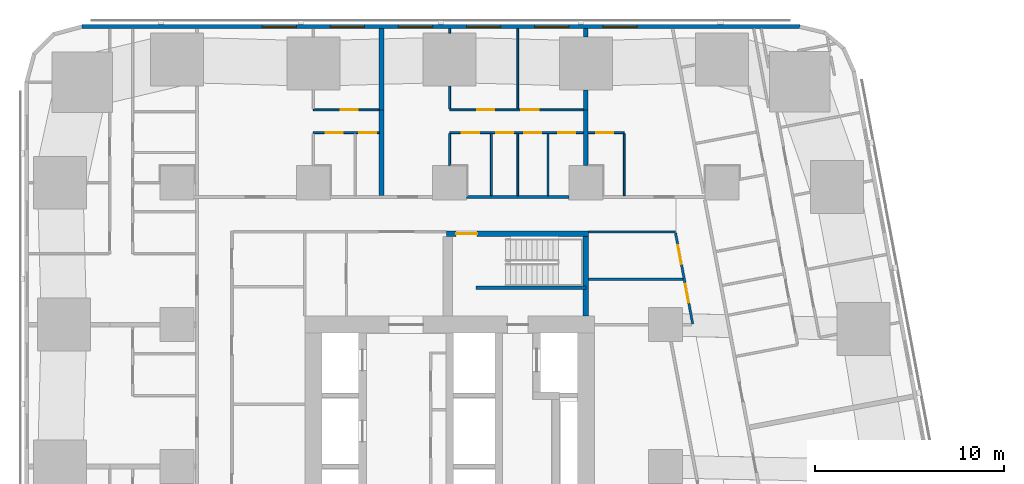
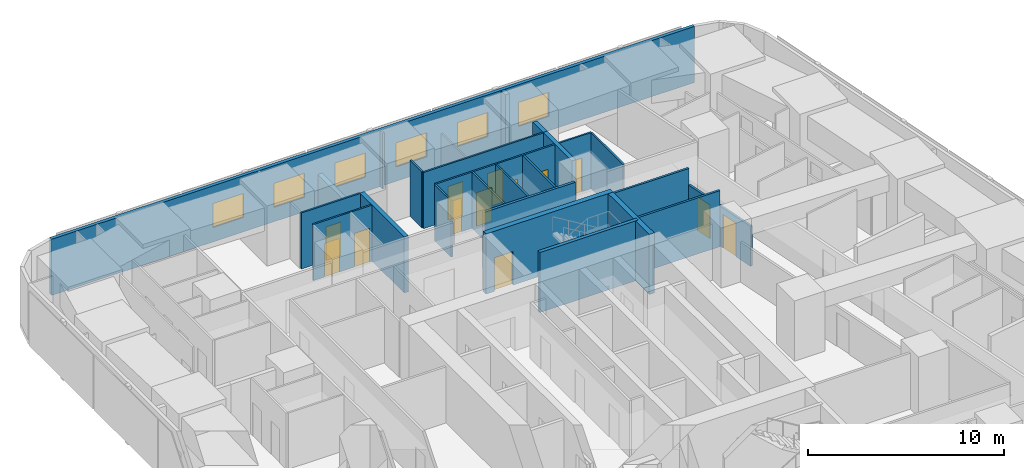
# One storey, part 10 of 16: 26 walls, 13 doors, 6 windows, 19 openings.
"""IFC4 building model written with IfcOpenShell, lengths in metres."""

from ifc_helpers import new_model, si_unit, direction, frame, frame_2d, origin, place, context, subcontext, project, spatial, rectangle, extrude, material, layer, layer_set, type_object, element, fill, save


model = new_model("IFC4")

# Units and contexts
model_context = context("Model", 3, precision=1e-05, world=origin(), true_north=direction((0.0, 1.0)))
body_context = subcontext(model_context, "Body", "Model", "MODEL_VIEW")
ifc_project = project(units=[si_unit("LENGTHUNIT", "METRE"), si_unit("AREAUNIT", "SQUARE_METRE"), si_unit("VOLUMEUNIT", "CUBIC_METRE"), si_unit("PLANEANGLEUNIT", "RADIAN"), si_unit("MASSUNIT", "GRAM", prefix="KILO")], contexts=[model_context])

# Site, building, storey
site_placement = place(None, origin())
site = spatial("IfcSite", under=ifc_project, at=site_placement, CompositionType="ELEMENT")
building_placement = place(site_placement, origin())
building = spatial("IfcBuilding", under=site, at=building_placement, Name="Sheger Commons Tower", CompositionType="ELEMENT")
storey_placement = place(building_placement, frame((0.0, 0.0, 61.25)))
storey = spatial("IfcBuildingStorey", under=building, at=storey_placement, Name="L15", CompositionType="ELEMENT", Elevation=61.25)

# Walls
ifc_material_1 = material(Name="Hollow concrete block masonry, skimmed both sides", Category="masonry")
ifc_layer_1 = layer(ifc_material_1, 0.14990234375)
ifc_layer_set_1 = layer_set([ifc_layer_1], Name="CORRIDOR WALL 150")
wall_type_1 = type_object("IfcWallType", Name="CORRIDOR WALL 150", PredefinedType="SOLIDWALL", material=ifc_layer_set_1)
wall_1_placement = place(storey_placement, frame((22.5009765625, 36.75, 0.0), z_axis=(0.0, 0.0, 1.0), x_axis=(1.0, 0.0, 0.0)))
element("IfcWall", 1, at=wall_1_placement, inside=storey, type_object=wall_type_1, Name="Corridor wall L15", PredefinedType="SOLIDWALL", context=body_context, shape_type="SweptSolid", body=[
    extrude(rectangle(XDim=5.39794921875, YDim=0.14990234375, at=frame_2d((2.698974609375, 0.0))), origin(), (0.0, 0.0, 1.0), 3.5),
])
ifc_material_2 = material(Name="Dense concrete block masonry, plastered both sides (separating wall between flats)", Category="masonry")
ifc_layer_2 = layer(ifc_material_2, 0.25)
ifc_layer_set_2 = layer_set([ifc_layer_2], Name="DEMISING WALL 250")
wall_type_2 = type_object("IfcWallType", Name="DEMISING WALL 250", PredefinedType="SOLIDWALL", material=ifc_layer_set_2)
wall_2_placement = place(storey_placement, frame((18.0, 41.35009765625, 0.0), z_axis=(0.0, 0.0, 1.0), x_axis=(0.0, 1.0, 0.0)))
element("IfcWall", 2, at=wall_2_placement, inside=storey, type_object=wall_type_2, Name="Demising wall L15", PredefinedType="SOLIDWALL", context=body_context, shape_type="SweptSolid", body=[
    extrude(rectangle(XDim=4.2998046875, YDim=0.25, at=frame_2d((2.14990234375, 0.0))), origin(), (0.0, 0.0, 1.0), 2.050048828125),
])
wall_3_placement = place(storey_placement, frame((18.0, 36.824951171875, 0.0), z_axis=(0.0, 0.0, 1.0), x_axis=(0.0, 1.0, 0.0)))
element("IfcWall", 3, at=wall_3_placement, inside=storey, type_object=wall_type_2, Name="Demising wall L15", PredefinedType="SOLIDWALL", context=body_context, shape_type="SweptSolid", body=[
    extrude(rectangle(XDim=4.525146484375, YDim=0.25, at=frame_2d((2.2626953125, 0.0))), origin(), (0.0, 0.0, 1.0), 3.5),
])
wall_4_placement = place(storey_placement, frame((28.800048828125, 41.35009765625, 0.0), z_axis=(0.0, 0.0, 1.0), x_axis=(0.0, 1.0, 0.0)))
element("IfcWall", 4, at=wall_4_placement, inside=storey, type_object=wall_type_2, Name="Demising wall L15", PredefinedType="SOLIDWALL", context=body_context, shape_type="SweptSolid", body=[
    extrude(rectangle(XDim=1.048828125, YDim=0.25, at=frame_2d((0.5244140625, 0.0))), origin(), (0.0, 0.0, 1.0), 3.5),
])
wall_5_placement = place(storey_placement, frame((28.800048828125, 45.200927734375, 0.0), z_axis=(0.0, 0.0, 1.0), x_axis=(0.0, 1.0, 0.0)))
element("IfcWall", 5, at=wall_5_placement, inside=storey, type_object=wall_type_2, Name="Demising wall L15", PredefinedType="SOLIDWALL", context=body_context, shape_type="SweptSolid", body=[
    extrude(rectangle(XDim=0.448974609375, YDim=0.25, at=frame_2d((0.224609375, 0.0))), origin(), (0.0, 0.0, 1.0), 3.5),
])
wall_6_placement = place(storey_placement, frame((28.800048828125, 38.40087890625, 0.0), z_axis=(0.0, 0.0, 1.0), x_axis=(0.0, 1.0, 0.0)))
element("IfcWall", 6, at=wall_6_placement, inside=storey, type_object=wall_type_2, Name="Demising wall L15", PredefinedType="SOLIDWALL", context=body_context, shape_type="SweptSolid", body=[
    extrude(rectangle(XDim=2.94921875, YDim=0.25, at=frame_2d((1.474609375, 0.0))), origin(), (0.0, 0.0, 1.0), 3.5),
])

# Wall, openings, windows
ifc_material_3 = material(Name="Rendered concrete block masonry, dark grey", Category="masonry")
ifc_layer_3 = layer(ifc_material_3, 0.199951171875)
ifc_layer_set_3 = layer_set([ifc_layer_3], Name="FACADE WALL 200")
wall_type_3 = type_object("IfcWallType", Name="FACADE WALL 200", PredefinedType="SOLIDWALL", material=ifc_layer_set_3)
wall_7_placement = place(storey_placement, frame((40.10595703125, 45.75, 0.0), z_axis=(0.0, 0.0, 1.0), x_axis=(-1.0, 0.0, 0.0)))
wall_7 = element("IfcWall", 7, at=wall_7_placement, inside=storey, type_object=wall_type_3, Name="Facade wall L15", PredefinedType="SOLIDWALL", context=body_context, shape_type="SweptSolid", body=[
    extrude(rectangle(XDim=37.94287109375, YDim=0.199951171875, at=frame_2d((18.971435546875, 0.0))), origin(), (0.0, 0.0, 1.0), 3.5),
])
opening_1_placement = place(wall_7_placement, frame((8.60595703125, 0.0, 0.89990234375)))
opening_1 = element("IfcOpeningElement", 8, at=opening_1_placement, cuts=wall_7, Name="Opening W2", PredefinedType="OPENING", context=body_context, shape_type="SweptSolid", body=[
    extrude(rectangle(XDim=1.800048828125, YDim=1.5, at=frame_2d((0.89990234375, 0.75))), frame((0.0, 0.10986328125, 0.0), z_axis=(0.0, -1.0, 0.0), x_axis=(1.0, 0.0, 0.0)), (0.0, 0.0, 1.0), 0.219970703125),
])
opening_2_placement = place(wall_7_placement, frame((12.2060546875, 0.0, 0.89990234375)))
opening_2 = element("IfcOpeningElement", 9, at=opening_2_placement, cuts=wall_7, Name="Opening W2", PredefinedType="OPENING", context=body_context, shape_type="SweptSolid", body=[
    extrude(rectangle(XDim=1.800048828125, YDim=1.5, at=frame_2d((0.89990234375, 0.75))), frame((0.0, 0.10986328125, 0.0), z_axis=(0.0, -1.0, 0.0), x_axis=(1.0, 0.0, 0.0)), (0.0, 0.0, 1.0), 0.219970703125),
])
opening_3_placement = place(wall_7_placement, frame((15.805908203125, 0.0, 0.89990234375)))
opening_3 = element("IfcOpeningElement", 10, at=opening_3_placement, cuts=wall_7, Name="Opening W2", PredefinedType="OPENING", context=body_context, shape_type="SweptSolid", body=[
    extrude(rectangle(XDim=1.800048828125, YDim=1.5, at=frame_2d((0.89990234375, 0.75))), frame((0.0, 0.10986328125, 0.0), z_axis=(0.0, -1.0, 0.0), x_axis=(1.0, 0.0, 0.0)), (0.0, 0.0, 1.0), 0.219970703125),
])
opening_4_placement = place(wall_7_placement, frame((19.406005859375, 0.0, 0.89990234375)))
opening_4 = element("IfcOpeningElement", 11, at=opening_4_placement, cuts=wall_7, Name="Opening W2", PredefinedType="OPENING", context=body_context, shape_type="SweptSolid", body=[
    extrude(rectangle(XDim=1.800048828125, YDim=1.5, at=frame_2d((0.89990234375, 0.75))), frame((0.0, 0.10986328125, 0.0), z_axis=(0.0, -1.0, 0.0), x_axis=(1.0, 0.0, 0.0)), (0.0, 0.0, 1.0), 0.219970703125),
])
opening_5_placement = place(wall_7_placement, frame((23.006103515625, 0.0, 0.89990234375)))
opening_5 = element("IfcOpeningElement", 12, at=opening_5_placement, cuts=wall_7, Name="Opening W2", PredefinedType="OPENING", context=body_context, shape_type="SweptSolid", body=[
    extrude(rectangle(XDim=1.800048828125, YDim=1.5, at=frame_2d((0.89990234375, 0.75))), frame((0.0, 0.10986328125, 0.0), z_axis=(0.0, -1.0, 0.0), x_axis=(1.0, 0.0, 0.0)), (0.0, 0.0, 1.0), 0.219970703125),
])
opening_6_placement = place(wall_7_placement, frame((26.60595703125, 0.0, 0.89990234375)))
opening_6 = element("IfcOpeningElement", 13, at=opening_6_placement, cuts=wall_7, Name="Opening W2", PredefinedType="OPENING", context=body_context, shape_type="SweptSolid", body=[
    extrude(rectangle(XDim=1.800048828125, YDim=1.5, at=frame_2d((0.89990234375, 0.75))), frame((0.0, 0.10986328125, 0.0), z_axis=(0.0, -1.0, 0.0), x_axis=(1.0, 0.0, 0.0)), (0.0, 0.0, 1.0), 0.219970703125),
])
ifc_material_4 = material(Name="Black aluminium frame, dark tinted double glazing", Category="aluminium")
window_type = type_object("IfcWindowType", Name="WINDOW W2 1800x1500", PartitioningType="SINGLE_PANEL", PredefinedType="WINDOW", material=ifc_material_4)
window_1_placement = place(opening_1_placement, origin())
window_1 = element("IfcWindow", 14, at=window_1_placement, inside=storey, type_object=window_type, Name="Window W2 1800X1500", OverallHeight=1.5, OverallWidth=1.800048828125, PartitioningType="SINGLE_PANEL", PredefinedType="WINDOW", context=body_context, shape_type="SweptSolid", body=[
    extrude(rectangle(XDim=1.800048828125, YDim=1.5, at=frame_2d((0.89990234375, 0.75))), frame((0.0, 0.030029296875, 0.0), z_axis=(0.0, -1.0, 0.0), x_axis=(1.0, 0.0, 0.0)), (0.0, 0.0, 1.0), 0.06005859375),
])
fill(opening_1, window_1)
window_2_placement = place(opening_2_placement, origin())
window_2 = element("IfcWindow", 15, at=window_2_placement, inside=storey, type_object=window_type, Name="Window W2 1800X1500", OverallHeight=1.5, OverallWidth=1.800048828125, PartitioningType="SINGLE_PANEL", PredefinedType="WINDOW", context=body_context, shape_type="SweptSolid", body=[
    extrude(rectangle(XDim=1.800048828125, YDim=1.5, at=frame_2d((0.89990234375, 0.75))), frame((0.0, 0.030029296875, 0.0), z_axis=(0.0, -1.0, 0.0), x_axis=(1.0, 0.0, 0.0)), (0.0, 0.0, 1.0), 0.06005859375),
])
fill(opening_2, window_2)
window_3_placement = place(opening_3_placement, origin())
window_3 = element("IfcWindow", 16, at=window_3_placement, inside=storey, type_object=window_type, Name="Window W2 1800X1500", OverallHeight=1.5, OverallWidth=1.800048828125, PartitioningType="SINGLE_PANEL", PredefinedType="WINDOW", context=body_context, shape_type="SweptSolid", body=[
    extrude(rectangle(XDim=1.800048828125, YDim=1.5, at=frame_2d((0.89990234375, 0.75))), frame((0.0, 0.030029296875, 0.0), z_axis=(0.0, -1.0, 0.0), x_axis=(1.0, 0.0, 0.0)), (0.0, 0.0, 1.0), 0.06005859375),
])
fill(opening_3, window_3)
window_4_placement = place(opening_4_placement, origin())
window_4 = element("IfcWindow", 17, at=window_4_placement, inside=storey, type_object=window_type, Name="Window W2 1800X1500", OverallHeight=1.5, OverallWidth=1.800048828125, PartitioningType="SINGLE_PANEL", PredefinedType="WINDOW", context=body_context, shape_type="SweptSolid", body=[
    extrude(rectangle(XDim=1.800048828125, YDim=1.5, at=frame_2d((0.89990234375, 0.75))), frame((0.0, 0.030029296875, 0.0), z_axis=(0.0, -1.0, 0.0), x_axis=(1.0, 0.0, 0.0)), (0.0, 0.0, 1.0), 0.06005859375),
])
fill(opening_4, window_4)
window_5_placement = place(opening_5_placement, origin())
window_5 = element("IfcWindow", 18, at=window_5_placement, inside=storey, type_object=window_type, Name="Window W2 1800X1500", OverallHeight=1.5, OverallWidth=1.800048828125, PartitioningType="SINGLE_PANEL", PredefinedType="WINDOW", context=body_context, shape_type="SweptSolid", body=[
    extrude(rectangle(XDim=1.800048828125, YDim=1.5, at=frame_2d((0.89990234375, 0.75))), frame((0.0, 0.030029296875, 0.0), z_axis=(0.0, -1.0, 0.0), x_axis=(1.0, 0.0, 0.0)), (0.0, 0.0, 1.0), 0.06005859375),
])
fill(opening_5, window_5)
window_6_placement = place(opening_6_placement, origin())
window_6 = element("IfcWindow", 19, at=window_6_placement, inside=storey, type_object=window_type, Name="Window W2 1800X1500", OverallHeight=1.5, OverallWidth=1.800048828125, PartitioningType="SINGLE_PANEL", PredefinedType="WINDOW", context=body_context, shape_type="SweptSolid", body=[
    extrude(rectangle(XDim=1.800048828125, YDim=1.5, at=frame_2d((0.89990234375, 0.75))), frame((0.0, 0.030029296875, 0.0), z_axis=(0.0, -1.0, 0.0), x_axis=(1.0, 0.0, 0.0)), (0.0, 0.0, 1.0), 0.06005859375),
])
fill(opening_6, window_6)

# Wall, opening, door
ifc_material_5 = material(Name="Gypsum board on steel studs", Category="steel")
ifc_layer_4 = layer(ifc_material_5, 0.10009765625)
ifc_layer_set_4 = layer_set([ifc_layer_4], Name="PARTITION 100")
wall_type_4 = type_object("IfcWallType", Name="PARTITION 100", PredefinedType="PARTITIONING", material=ifc_layer_set_4)
wall_8_placement = place(storey_placement, frame((14.39990234375, 41.35009765625, 0.0), z_axis=(0.0, 0.0, 1.0), x_axis=(1.0, 0.0, 0.0)))
wall_8 = element("IfcWall", 20, at=wall_8_placement, inside=storey, type_object=wall_type_4, Name="Partition L15", PredefinedType="PARTITIONING", context=body_context, shape_type="SweptSolid", body=[
    extrude(rectangle(XDim=3.47509765625, YDim=0.10009765625, at=frame_2d((1.737548828125, 0.0))), origin(), (0.0, 0.0, 1.0), 3.5),
])
opening_7_placement = place(wall_8_placement, frame((1.449951171875, 0.0, 0.0)))
opening_7 = element("IfcOpeningElement", 21, at=opening_7_placement, cuts=wall_8, Name="Opening D2", PredefinedType="OPENING", context=body_context, shape_type="SweptSolid", body=[
    extrude(rectangle(XDim=0.89990234375, YDim=2.10009765625, at=frame_2d((0.449951171875, 1.050048828125))), frame((0.0, 0.06005859375, 0.0), z_axis=(0.0, -1.0, 0.0), x_axis=(1.0, 0.0, 0.0)), (0.0, 0.0, 1.0), 0.1201171875),
])
ifc_material_6 = material(Name="Timber door set", Category="wood")
door_type_1 = type_object("IfcDoorType", Name="INTERNAL DOOR 900x2100", OperationType="NOTDEFINED", PredefinedType="DOOR", material=ifc_material_6)
door_1_placement = place(opening_7_placement, origin())
door_1 = element("IfcDoor", 22, at=door_1_placement, inside=storey, type_object=door_type_1, Name="Main bedroom door", OperationType="SINGLE_SWING_RIGHT", OverallHeight=2.10009765625, OverallWidth=0.89990234375, PredefinedType="DOOR", context=body_context, shape_type="SweptSolid", body=[
    extrude(rectangle(XDim=0.89990234375, YDim=2.10009765625, at=frame_2d((0.449951171875, 1.050048828125))), frame((0.0, 0.02490234375, 0.0), z_axis=(0.0, -1.0, 0.0), x_axis=(1.0, 0.0, 0.0)), (0.0, 0.0, 1.0), 0.050048828125),
])
fill(opening_7, door_1)

# Wall, openings, doors
wall_9_placement = place(storey_placement, frame((14.39990234375, 40.14990234375, 0.0), z_axis=(0.0, 0.0, 1.0), x_axis=(1.0, 0.0, 0.0)))
wall_9 = element("IfcWall", 23, at=wall_9_placement, inside=storey, type_object=wall_type_4, Name="Partition L15", PredefinedType="PARTITIONING", context=body_context, shape_type="SweptSolid", body=[
    extrude(rectangle(XDim=3.47509765625, YDim=0.10009765625, at=frame_2d((1.737548828125, 0.0))), origin(), (0.0, 0.0, 1.0), 3.5),
])
opening_8_placement = place(wall_9_placement, frame((0.655029296875, 0.0, 0.0)))
opening_8 = element("IfcOpeningElement", 24, at=opening_8_placement, cuts=wall_9, Name="Opening D2", PredefinedType="OPENING", context=body_context, shape_type="SweptSolid", body=[
    extrude(rectangle(XDim=0.89990234375, YDim=2.10009765625, at=frame_2d((0.449951171875, 1.050048828125))), frame((0.0, 0.06005859375, 0.0), z_axis=(0.0, -1.0, 0.0), x_axis=(1.0, 0.0, 0.0)), (0.0, 0.0, 1.0), 0.1201171875),
])
opening_9_placement = place(wall_9_placement, frame((2.425048828125, 0.0, 0.0)))
opening_9 = element("IfcOpeningElement", 25, at=opening_9_placement, cuts=wall_9, Name="Opening D2", PredefinedType="OPENING", context=body_context, shape_type="SweptSolid", body=[
    extrude(rectangle(XDim=0.89990234375, YDim=2.10009765625, at=frame_2d((0.449951171875, 1.050048828125))), frame((0.0, 0.06005859375, 0.0), z_axis=(0.0, -1.0, 0.0), x_axis=(1.0, 0.0, 0.0)), (0.0, 0.0, 1.0), 0.1201171875),
])
door_2_placement = place(opening_8_placement, origin())
door_2 = element("IfcDoor", 26, at=door_2_placement, inside=storey, type_object=door_type_1, Name="Bathroom door", OperationType="SINGLE_SWING_RIGHT", OverallHeight=2.10009765625, OverallWidth=0.89990234375, PredefinedType="DOOR", context=body_context, shape_type="SweptSolid", body=[
    extrude(rectangle(XDim=0.89990234375, YDim=2.10009765625, at=frame_2d((0.449951171875, 1.050048828125))), frame((0.0, 0.02490234375, 0.0), z_axis=(0.0, -1.0, 0.0), x_axis=(1.0, 0.0, 0.0)), (0.0, 0.0, 1.0), 0.050048828125),
])
fill(opening_8, door_2)
door_3_placement = place(opening_9_placement, origin())
door_3 = element("IfcDoor", 27, at=door_3_placement, inside=storey, type_object=door_type_1, Name="Store door", OperationType="SINGLE_SWING_LEFT", OverallHeight=2.10009765625, OverallWidth=0.89990234375, PredefinedType="DOOR", context=body_context, shape_type="SweptSolid", body=[
    extrude(rectangle(XDim=0.89990234375, YDim=2.10009765625, at=frame_2d((0.449951171875, 1.050048828125))), frame((0.0, 0.02490234375, 0.0), z_axis=(0.0, -1.0, 0.0), x_axis=(1.0, 0.0, 0.0)), (0.0, 0.0, 1.0), 0.050048828125),
])
fill(opening_9, door_3)

wall_10_placement = place(storey_placement, frame((21.60009765625, 41.35009765625, 0.0), z_axis=(0.0, 0.0, 1.0), x_axis=(1.0, 0.0, 0.0)))
wall_10 = element("IfcWall", 28, at=wall_10_placement, inside=storey, type_object=wall_type_4, Name="Partition L15", PredefinedType="PARTITIONING", context=body_context, shape_type="SweptSolid", body=[
    extrude(rectangle(XDim=7.074951171875, YDim=0.10009765625, at=frame_2d((3.53759765625, 0.0))), origin(), (0.0, 0.0, 1.0), 3.5),
])
opening_10_placement = place(wall_10_placement, frame((1.449951171875, 0.0, 0.0)))
opening_10 = element("IfcOpeningElement", 29, at=opening_10_placement, cuts=wall_10, Name="Opening D2", PredefinedType="OPENING", context=body_context, shape_type="SweptSolid", body=[
    extrude(rectangle(XDim=0.89990234375, YDim=2.10009765625, at=frame_2d((0.449951171875, 1.050048828125))), frame((0.0, 0.06005859375, 0.0), z_axis=(0.0, -1.0, 0.0), x_axis=(1.0, 0.0, 0.0)), (0.0, 0.0, 1.0), 0.1201171875),
])
opening_11_placement = place(wall_10_placement, frame((3.800048828125, 0.0, 0.0)))
opening_11 = element("IfcOpeningElement", 30, at=opening_11_placement, cuts=wall_10, Name="Opening D2", PredefinedType="OPENING", context=body_context, shape_type="SweptSolid", body=[
    extrude(rectangle(XDim=0.89990234375, YDim=2.10009765625, at=frame_2d((0.449951171875, 1.050048828125))), frame((0.0, 0.06005859375, 0.0), z_axis=(0.0, -1.0, 0.0), x_axis=(1.0, 0.0, 0.0)), (0.0, 0.0, 1.0), 0.1201171875),
])
door_4_placement = place(opening_10_placement, origin())
door_4 = element("IfcDoor", 31, at=door_4_placement, inside=storey, type_object=door_type_1, Name="Main bedroom door", OperationType="SINGLE_SWING_RIGHT", OverallHeight=2.10009765625, OverallWidth=0.89990234375, PredefinedType="DOOR", context=body_context, shape_type="SweptSolid", body=[
    extrude(rectangle(XDim=0.89990234375, YDim=2.10009765625, at=frame_2d((0.449951171875, 1.050048828125))), frame((0.0, 0.02490234375, 0.0), z_axis=(0.0, -1.0, 0.0), x_axis=(1.0, 0.0, 0.0)), (0.0, 0.0, 1.0), 0.050048828125),
])
fill(opening_10, door_4)
door_5_placement = place(opening_11_placement, origin())
door_5 = element("IfcDoor", 32, at=door_5_placement, inside=storey, type_object=door_type_1, Name="Bedroom 2 door", OperationType="SINGLE_SWING_LEFT", OverallHeight=2.10009765625, OverallWidth=0.89990234375, PredefinedType="DOOR", context=body_context, shape_type="SweptSolid", body=[
    extrude(rectangle(XDim=0.89990234375, YDim=2.10009765625, at=frame_2d((0.449951171875, 1.050048828125))), frame((0.0, 0.02490234375, 0.0), z_axis=(0.0, -1.0, 0.0), x_axis=(1.0, 0.0, 0.0)), (0.0, 0.0, 1.0), 0.050048828125),
])
fill(opening_11, door_5)

wall_11_placement = place(storey_placement, frame((21.60009765625, 40.14990234375, 0.0), z_axis=(0.0, 0.0, 1.0), x_axis=(1.0, 0.0, 0.0)))
wall_11 = element("IfcWall", 33, at=wall_11_placement, inside=storey, type_object=wall_type_4, Name="Partition L15", PredefinedType="PARTITIONING", context=body_context, shape_type="SweptSolid", body=[
    extrude(rectangle(XDim=7.074951171875, YDim=0.10009765625, at=frame_2d((3.53759765625, 0.0))), origin(), (0.0, 0.0, 1.0), 3.5),
])
opening_12_placement = place(wall_11_placement, frame((0.655029296875, 0.0, 0.0)))
opening_12 = element("IfcOpeningElement", 34, at=opening_12_placement, cuts=wall_11, Name="Opening D2", PredefinedType="OPENING", context=body_context, shape_type="SweptSolid", body=[
    extrude(rectangle(XDim=0.89990234375, YDim=2.10009765625, at=frame_2d((0.449951171875, 1.050048828125))), frame((0.0, 0.06005859375, 0.0), z_axis=(0.0, -1.0, 0.0), x_axis=(1.0, 0.0, 0.0)), (0.0, 0.0, 1.0), 0.1201171875),
])
opening_13_placement = place(wall_11_placement, frame((3.949951171875, 0.0, 0.0)))
opening_13 = element("IfcOpeningElement", 35, at=opening_13_placement, cuts=wall_11, Name="Opening D2", PredefinedType="OPENING", context=body_context, shape_type="SweptSolid", body=[
    extrude(rectangle(XDim=0.89990234375, YDim=2.10009765625, at=frame_2d((0.449951171875, 1.050048828125))), frame((0.0, 0.06005859375, 0.0), z_axis=(0.0, -1.0, 0.0), x_axis=(1.0, 0.0, 0.0)), (0.0, 0.0, 1.0), 0.1201171875),
])
opening_14_placement = place(wall_11_placement, frame((2.455078125, 0.0, 0.0)))
opening_14 = element("IfcOpeningElement", 36, at=opening_14_placement, cuts=wall_11, Name="Opening D2", PredefinedType="OPENING", context=body_context, shape_type="SweptSolid", body=[
    extrude(rectangle(XDim=0.89990234375, YDim=2.10009765625, at=frame_2d((0.449951171875, 1.050048828125))), frame((0.0, 0.06005859375, 0.0), z_axis=(0.0, -1.0, 0.0), x_axis=(1.0, 0.0, 0.0)), (0.0, 0.0, 1.0), 0.1201171875),
])
opening_15_placement = place(wall_11_placement, frame((5.75, 0.0, 0.0)))
opening_15 = element("IfcOpeningElement", 37, at=opening_15_placement, cuts=wall_11, Name="Opening D2", PredefinedType="OPENING", context=body_context, shape_type="SweptSolid", body=[
    extrude(rectangle(XDim=0.89990234375, YDim=2.10009765625, at=frame_2d((0.449951171875, 1.050048828125))), frame((0.0, 0.06005859375, 0.0), z_axis=(0.0, -1.0, 0.0), x_axis=(1.0, 0.0, 0.0)), (0.0, 0.0, 1.0), 0.1201171875),
])
door_6_placement = place(opening_12_placement, origin())
door_6 = element("IfcDoor", 38, at=door_6_placement, inside=storey, type_object=door_type_1, Name="Bathroom door", OperationType="SINGLE_SWING_RIGHT", OverallHeight=2.10009765625, OverallWidth=0.89990234375, PredefinedType="DOOR", context=body_context, shape_type="SweptSolid", body=[
    extrude(rectangle(XDim=0.89990234375, YDim=2.10009765625, at=frame_2d((0.449951171875, 1.050048828125))), frame((0.0, 0.02490234375, 0.0), z_axis=(0.0, -1.0, 0.0), x_axis=(1.0, 0.0, 0.0)), (0.0, 0.0, 1.0), 0.050048828125),
])
fill(opening_12, door_6)
door_7_placement = place(opening_13_placement, origin())
door_7 = element("IfcDoor", 39, at=door_7_placement, inside=storey, type_object=door_type_1, Name="Shower room door", OperationType="SINGLE_SWING_LEFT", OverallHeight=2.10009765625, OverallWidth=0.89990234375, PredefinedType="DOOR", context=body_context, shape_type="SweptSolid", body=[
    extrude(rectangle(XDim=0.89990234375, YDim=2.10009765625, at=frame_2d((0.449951171875, 1.050048828125))), frame((0.0, 0.02490234375, 0.0), z_axis=(0.0, -1.0, 0.0), x_axis=(1.0, 0.0, 0.0)), (0.0, 0.0, 1.0), 0.050048828125),
])
fill(opening_13, door_7)
door_8_placement = place(opening_14_placement, origin())
door_8 = element("IfcDoor", 40, at=door_8_placement, inside=storey, type_object=door_type_1, Name="Store door", OperationType="SINGLE_SWING_LEFT", OverallHeight=2.10009765625, OverallWidth=0.89990234375, PredefinedType="DOOR", context=body_context, shape_type="SweptSolid", body=[
    extrude(rectangle(XDim=0.89990234375, YDim=2.10009765625, at=frame_2d((0.449951171875, 1.050048828125))), frame((0.0, 0.02490234375, 0.0), z_axis=(0.0, -1.0, 0.0), x_axis=(1.0, 0.0, 0.0)), (0.0, 0.0, 1.0), 0.050048828125),
])
fill(opening_14, door_8)
door_9_placement = place(opening_15_placement, origin())
door_9 = element("IfcDoor", 41, at=door_9_placement, inside=storey, type_object=door_type_1, Name="Store door", OperationType="SINGLE_SWING_LEFT", OverallHeight=2.10009765625, OverallWidth=0.89990234375, PredefinedType="DOOR", context=body_context, shape_type="SweptSolid", body=[
    extrude(rectangle(XDim=0.89990234375, YDim=2.10009765625, at=frame_2d((0.449951171875, 1.050048828125))), frame((0.0, 0.02490234375, 0.0), z_axis=(0.0, -1.0, 0.0), x_axis=(1.0, 0.0, 0.0)), (0.0, 0.0, 1.0), 0.050048828125),
])
fill(opening_15, door_9)

# Walls
wall_12_placement = place(storey_placement, frame((21.60009765625, 41.39990234375, 0.0), z_axis=(0.0, 0.0, 1.0), x_axis=(0.0, 1.0, 0.0)))
element("IfcWall", 42, at=wall_12_placement, inside=storey, type_object=wall_type_4, Name="Partition L15", PredefinedType="PARTITIONING", context=body_context, shape_type="SweptSolid", body=[
    extrude(rectangle(XDim=1.19921875, YDim=0.10009765625, at=frame_2d((0.599609375, 0.0))), origin(), (0.0, 0.0, 1.0), 3.5),
])
wall_13_placement = place(storey_placement, frame((21.60009765625, 45.40087890625, 0.0), z_axis=(0.0, 0.0, 1.0), x_axis=(0.0, 1.0, 0.0)))
element("IfcWall", 43, at=wall_13_placement, inside=storey, type_object=wall_type_4, Name="Partition L15", PredefinedType="PARTITIONING", context=body_context, shape_type="SweptSolid", body=[
    extrude(rectangle(XDim=0.2490234375, YDim=0.10009765625, at=frame_2d((0.12451171875, 0.0))), origin(), (0.0, 0.0, 1.0), 3.5),
])
wall_14_placement = place(storey_placement, frame((25.199951171875, 41.39990234375, 0.0), z_axis=(0.0, 0.0, 1.0), x_axis=(0.0, 1.0, 0.0)))
element("IfcWall", 44, at=wall_14_placement, inside=storey, type_object=wall_type_4, Name="Partition L15", PredefinedType="PARTITIONING", context=body_context, shape_type="SweptSolid", body=[
    extrude(rectangle(XDim=4.25, YDim=0.10009765625, at=frame_2d((2.125, 0.0))), origin(), (0.0, 0.0, 1.0), 2.050048828125),
])
wall_15_placement = place(storey_placement, frame((21.60009765625, 38.40087890625, 0.0), z_axis=(0.0, 0.0, 1.0), x_axis=(0.0, 1.0, 0.0)))
element("IfcWall", 45, at=wall_15_placement, inside=storey, type_object=wall_type_4, Name="Partition L15", PredefinedType="PARTITIONING", context=body_context, shape_type="SweptSolid", body=[
    extrude(rectangle(XDim=1.69921875, YDim=0.10009765625, at=frame_2d((0.849609375, 0.0))), origin(), (0.0, 0.0, 1.0), 3.5),
])
for number, where, z_axis, x_axis, name in (
    (46, (25.199951171875, 36.824951171875, 0.0), (0.0, 0.0, 1.0), (0.0, 1.0, 0.0), "Partition L15"),
    (47, (23.81005859375, 36.824951171875, 0.0), (0.0, 0.0, 1.0), (0.0, 1.0, 0.0), "Partition L15"),
    (48, (26.800048828125, 36.824951171875, 0.0), (0.0, 0.0, 1.0), (0.0, 1.0, 0.0), "Partition L15"),
):
    element("IfcWall", number, at=place(storey_placement, frame(where, z_axis=z_axis, x_axis=x_axis)), inside=storey, type_object=wall_type_4, Name=name, PredefinedType="PARTITIONING", context=body_context, shape_type="SweptSolid", body=[
        extrude(rectangle(XDim=3.275146484375, YDim=0.10009765625, at=frame_2d((1.6376953125, 0.0))), origin(), (0.0, 0.0, 1.0), 3.5),
    ])

# Wall, opening, door
wall_16_placement = place(storey_placement, frame((28.925048828125, 40.14990234375, 0.0), z_axis=(0.0, 0.0, 1.0), x_axis=(1.0, 0.0, 0.0)))
wall_16 = element("IfcWall", 49, at=wall_16_placement, inside=storey, type_object=wall_type_4, Name="Partition L15", PredefinedType="PARTITIONING", context=body_context, shape_type="SweptSolid", body=[
    extrude(rectangle(XDim=1.904052734375, YDim=0.10009765625, at=frame_2d((0.9521484375, 0.0))), origin(), (0.0, 0.0, 1.0), 3.5),
])
opening_16_placement = place(wall_16_placement, frame((0.425048828125, 0.0, 0.0)))
opening_16 = element("IfcOpeningElement", 50, at=opening_16_placement, cuts=wall_16, Name="Opening D2", PredefinedType="OPENING", context=body_context, shape_type="SweptSolid", body=[
    extrude(rectangle(XDim=0.89990234375, YDim=2.10009765625, at=frame_2d((0.449951171875, 1.050048828125))), frame((0.0, 0.06005859375, 0.0), z_axis=(0.0, -1.0, 0.0), x_axis=(1.0, 0.0, 0.0)), (0.0, 0.0, 1.0), 0.1201171875),
])
door_10_placement = place(opening_16_placement, origin())
door_10 = element("IfcDoor", 51, at=door_10_placement, inside=storey, type_object=door_type_1, Name="Shower room door", OperationType="SINGLE_SWING_RIGHT", OverallHeight=2.10009765625, OverallWidth=0.89990234375, PredefinedType="DOOR", context=body_context, shape_type="SweptSolid", body=[
    extrude(rectangle(XDim=0.89990234375, YDim=2.10009765625, at=frame_2d((0.449951171875, 1.050048828125))), frame((0.0, 0.02490234375, 0.0), z_axis=(0.0, -1.0, 0.0), x_axis=(1.0, 0.0, 0.0)), (0.0, 0.0, 1.0), 0.050048828125),
])
fill(opening_16, door_10)

# Walls
wall_17_placement = place(storey_placement, frame((30.8291015625, 36.824951171875, 0.0), z_axis=(0.0, 0.0, 1.0), x_axis=(0.0, 1.0, 0.0)))
element("IfcWall", 52, at=wall_17_placement, inside=storey, type_object=wall_type_4, Name="Partition L15", PredefinedType="PARTITIONING", context=body_context, shape_type="SweptSolid", body=[
    extrude(rectangle(XDim=3.275146484375, YDim=0.10009765625, at=frame_2d((1.6376953125, 0.0))), origin(), (0.0, 0.0, 1.0), 3.5),
])
ifc_material_7 = material(Name="Gypsum board on steel studs, two layers each side, fire rated", Category="steel")
ifc_layer_5 = layer(ifc_material_7, 0.125)
ifc_layer_set_5 = layer_set([ifc_layer_5], Name="SERVICE WALL 125")
wall_type_5 = type_object("IfcWallType", Name="SERVICE WALL 125", PredefinedType="PARTITIONING", material=ifc_layer_set_5)
wall_18_placement = place(storey_placement, frame((28.949951171875, 34.89990234375, 0.0), z_axis=(0.0, 0.0, 1.0), x_axis=(1.0, 0.0, 0.0)))
element("IfcWall", 53, at=wall_18_placement, inside=storey, type_object=wall_type_5, Name="Service room wall L15", PredefinedType="PARTITIONING", context=body_context, shape_type="SweptSolid", body=[
    extrude(rectangle(XDim=4.588134765625, YDim=0.125, at=frame_2d((2.2939453125, 0.0))), origin(), (0.0, 0.0, 1.0), 3.5),
])

# Wall, openings, doors
wall_19_placement = place(storey_placement, frame((34.447998046875, 30.0400390625, 0.0), z_axis=(0.0, 0.0, 1.0), x_axis=(-0.185749459238, 0.982597139418, 0.0)))
wall_19 = element("IfcWall", 54, at=wall_19_placement, inside=storey, type_object=wall_type_5, Name="Service room wall L15", PredefinedType="PARTITIONING", context=body_context, shape_type="SweptSolid", body=[
    extrude(rectangle(XDim=4.8828125, YDim=0.125, at=frame_2d((2.44140625, 0.0))), origin(), (0.0, 0.0, 1.0), 2.5),
])
opening_17_placement = place(wall_19_placement, frame((1.14990234375, 0.0, 0.0)))
opening_17 = element("IfcOpeningElement", 55, at=opening_17_placement, cuts=wall_19, Name="Opening D4", PredefinedType="OPENING", context=body_context, shape_type="SweptSolid", body=[
    extrude(rectangle(XDim=1.0, YDim=2.10009765625, at=frame_2d((0.5, 1.050048828125))), frame((0.0, 0.072509765625, 0.0), z_axis=(0.0, -1.0, 0.0), x_axis=(1.0, 0.0, 0.0)), (0.0, 0.0, 1.0), 0.14501953125),
])
opening_18_placement = place(wall_19_placement, frame((3.22509765625, 0.0, 0.0)))
opening_18 = element("IfcOpeningElement", 56, at=opening_18_placement, cuts=wall_19, Name="Opening D4", PredefinedType="OPENING", context=body_context, shape_type="SweptSolid", body=[
    extrude(rectangle(XDim=1.0, YDim=2.10009765625, at=frame_2d((0.5, 1.050048828125))), frame((0.0, 0.072509765625, 0.0), z_axis=(0.0, -1.0, 0.0), x_axis=(1.0, 0.0, 0.0)), (0.0, 0.0, 1.0), 0.14501953125),
])
ifc_material_8 = material(Name="Steel door set, fire rated", Category="steel")
door_type_2 = type_object("IfcDoorType", Name="SERVICE DOOR 1000x2100", OperationType="NOTDEFINED", PredefinedType="DOOR", material=ifc_material_8)
door_11_placement = place(opening_17_placement, origin())
door_11 = element("IfcDoor", 57, at=door_11_placement, inside=storey, type_object=door_type_2, Name="Linen store door", OperationType="SINGLE_SWING_RIGHT", OverallHeight=2.10009765625, OverallWidth=1.0, PredefinedType="DOOR", context=body_context, shape_type="SweptSolid", body=[
    extrude(rectangle(XDim=1.0, YDim=2.10009765625, at=frame_2d((0.5, 1.050048828125))), frame((0.0, 0.02490234375, 0.0), z_axis=(0.0, -1.0, 0.0), x_axis=(1.0, 0.0, 0.0)), (0.0, 0.0, 1.0), 0.050048828125),
])
fill(opening_17, door_11)
door_12_placement = place(opening_18_placement, origin())
door_12 = element("IfcDoor", 58, at=door_12_placement, inside=storey, type_object=door_type_2, Name="Cleaner's store door", OperationType="SINGLE_SWING_RIGHT", OverallHeight=2.10009765625, OverallWidth=1.0, PredefinedType="DOOR", context=body_context, shape_type="SweptSolid", body=[
    extrude(rectangle(XDim=1.0, YDim=2.10009765625, at=frame_2d((0.5, 1.050048828125))), frame((0.0, 0.02490234375, 0.0), z_axis=(0.0, -1.0, 0.0), x_axis=(1.0, 0.0, 0.0)), (0.0, 0.0, 1.0), 0.050048828125),
])
fill(opening_18, door_12)

# Wall
wall_20_placement = place(storey_placement, frame((28.949951171875, 32.39990234375, 0.0), z_axis=(0.0, 0.0, 1.0), x_axis=(1.0, 0.0, 0.0)))
element("IfcWall", 59, at=wall_20_placement, inside=storey, type_object=wall_type_5, Name="Service room wall L15", PredefinedType="PARTITIONING", context=body_context, shape_type="SweptSolid", body=[
    extrude(rectangle(XDim=4.97607421875, YDim=0.125, at=frame_2d((2.488037109375, 0.0))), origin(), (0.0, 0.0, 1.0), 3.5),
])

# Wall, opening, door
ifc_material_9 = material(Name="Concrete C50/60", Category="concrete")
ifc_layer_6 = layer(ifc_material_9, 0.300048828125)
ifc_layer_set_6 = layer_set([ifc_layer_6], Name="STAIR CORE WALL 300")
wall_type_6 = type_object("IfcWallType", Name="STAIR CORE WALL 300", PredefinedType="SHEAR", material=ifc_layer_set_6)
wall_21_placement = place(storey_placement, frame((21.449951171875, 34.800048828125, 0.0), z_axis=(0.0, 0.0, 1.0), x_axis=(1.0, 0.0, 0.0)))
wall_21 = element("IfcWall", 60, at=wall_21_placement, inside=storey, type_object=wall_type_6, Name="STW-L15-S2N", PredefinedType="SHEAR", context=body_context, shape_type="SweptSolid", body=[
    extrude(rectangle(XDim=7.5, YDim=0.300048828125, at=frame_2d((3.75, 0.0))), origin(), (0.0, 0.0, 1.0), 3.75),
])
opening_19_placement = place(wall_21_placement, frame((0.5, 0.0, 0.0)))
opening_19 = element("IfcOpeningElement", 61, at=opening_19_placement, cuts=wall_21, Name="Opening D5", PredefinedType="OPENING", context=body_context, shape_type="SweptSolid", body=[
    extrude(rectangle(XDim=1.10009765625, YDim=2.10009765625, at=frame_2d((0.550048828125, 1.050048828125))), frame((0.0, 0.159912109375, 0.0), z_axis=(0.0, -1.0, 0.0), x_axis=(1.0, 0.0, 0.0)), (0.0, 0.0, 1.0), 0.320068359375),
])
ifc_material_10 = material(Name="Steel door set, fire rated", Category="steel")
door_type_3 = type_object("IfcDoorType", Name="STAIR DOOR 1100x2100", OperationType="NOTDEFINED", PredefinedType="DOOR", material=ifc_material_10)
door_13_placement = place(opening_19_placement, origin())
door_13 = element("IfcDoor", 62, at=door_13_placement, inside=storey, type_object=door_type_3, Name="Stair S2 door", OperationType="SINGLE_SWING_RIGHT", OverallHeight=2.10009765625, OverallWidth=1.10009765625, PredefinedType="DOOR", context=body_context, shape_type="SweptSolid", body=[
    extrude(rectangle(XDim=1.10009765625, YDim=2.10009765625, at=frame_2d((0.550048828125, 1.050048828125))), frame((0.0, 0.02490234375, 0.0), z_axis=(0.0, -1.0, 0.0), x_axis=(1.0, 0.0, 0.0)), (0.0, 0.0, 1.0), 0.050048828125),
])
fill(opening_19, door_13)

# Walls
wall_22_placement = place(storey_placement, frame((28.800048828125, 30.449951171875, 0.0), z_axis=(0.0, 0.0, 1.0), x_axis=(0.0, 1.0, 0.0)))
element("IfcWall", 63, at=wall_22_placement, inside=storey, type_object=wall_type_6, Name="STW-L15-S2E", PredefinedType="SHEAR", context=body_context, shape_type="SweptSolid", body=[
    extrude(rectangle(XDim=4.199951171875, YDim=0.300048828125, at=frame_2d((2.10009765625, 0.0))), origin(), (0.0, 0.0, 1.0), 3.75),
])
ifc_material_11 = material(Name="Concrete C50/60", Category="concrete")
ifc_layer_7 = layer(ifc_material_11, 0.199951171875)
ifc_layer_set_7 = layer_set([ifc_layer_7], Name="STAIR SPINE WALL 200")
wall_type_7 = type_object("IfcWallType", Name="STAIR SPINE WALL 200", PredefinedType="SHEAR", material=ifc_layer_set_7)
wall_23_placement = place(storey_placement, frame((23.0, 31.949951171875, 0.0), z_axis=(0.0, 0.0, 1.0), x_axis=(1.0, 0.0, 0.0)))
element("IfcWall", 64, at=wall_23_placement, inside=storey, type_object=wall_type_7, Name="Stair spine wall L15", PredefinedType="SHEAR", context=body_context, shape_type="SweptSolid", body=[
    extrude(rectangle(XDim=5.800048828125, YDim=0.199951171875, at=frame_2d((2.89990234375, 0.0))), origin(), (0.0, 0.0, 1.0), 3.75),
])

save(model, "model.ifc")
